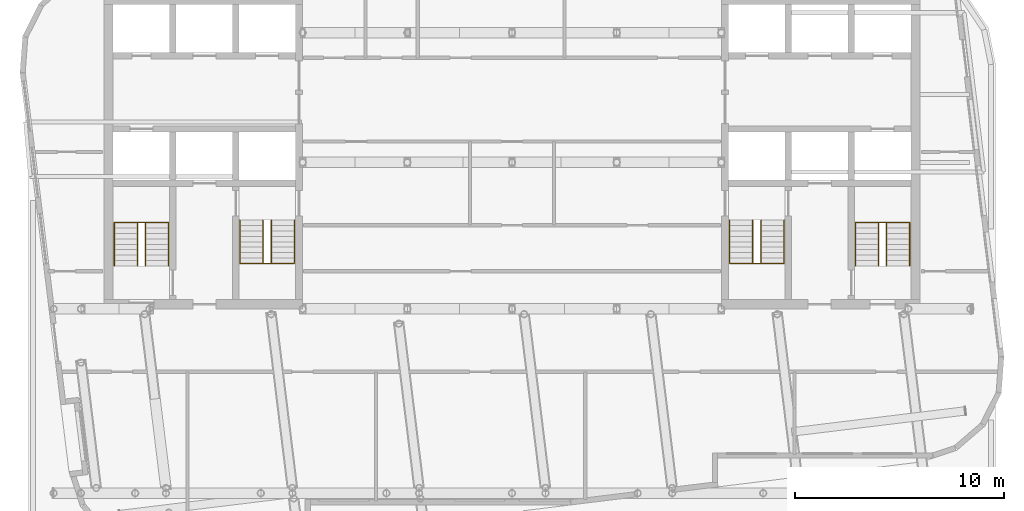
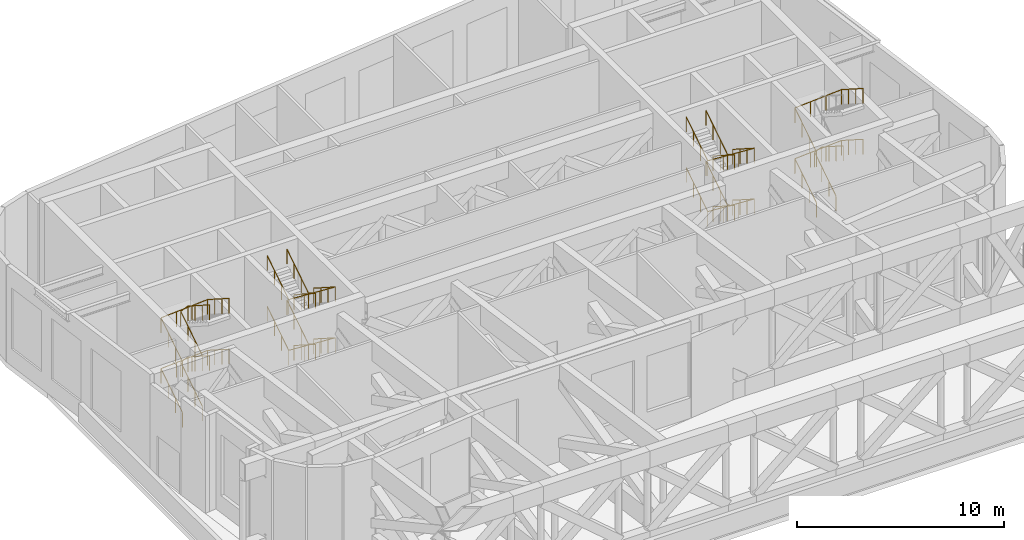
# One storey, part 15 of 16: 15 railings.
"""IFC4 building model written with IfcOpenShell, lengths in metres."""

from ifc_helpers import new_model, si_unit, direction, frame, origin, origin_2d, place, context, subcontext, project, spatial, circle, extrude, material, type_object, element, save


model = new_model("IFC4")

# Units and contexts
model_context = context("Model", 3, precision=1e-05, world=origin(), true_north=direction((0.0, 1.0)))
body_context = subcontext(model_context, "Body", "Model", "MODEL_VIEW")
ifc_project = project(units=[si_unit("LENGTHUNIT", "METRE"), si_unit("AREAUNIT", "SQUARE_METRE"), si_unit("VOLUMEUNIT", "CUBIC_METRE"), si_unit("PLANEANGLEUNIT", "RADIAN"), si_unit("MASSUNIT", "GRAM", prefix="KILO")], contexts=[model_context])

# Site, building, storey
site_placement = place(None, origin())
site = spatial("IfcSite", under=ifc_project, at=site_placement, CompositionType="ELEMENT")
building_placement = place(site_placement, origin())
building = spatial("IfcBuilding", under=site, at=building_placement, Name="Torana Hotel and Residences", CompositionType="ELEMENT")
storey_placement = place(building_placement, frame((0.0, 0.0, 308.60009765625)))
storey = spatial("IfcBuildingStorey", under=building, at=storey_placement, Name="L82", CompositionType="ELEMENT", Elevation=308.60009765625)

# Railings
ifc_material = material(Name="Stainless steel 316", Category="steel")
railing_type = type_object("IfcRailingType", Name="STAIR HANDRAIL HR1 900", PredefinedType="HANDRAIL", material=ifc_material)
railing_1_placement = place(storey_placement, frame((-10.39990234375, -10.75, 0.16650390625)))
element("IfcRailing", 1, at=railing_1_placement, inside=storey, type_object=railing_type, Name="Handrail ST1 L82 O1", PredefinedType="HANDRAIL", context=body_context, shape_type="SweptSolid", body=[
    extrude(circle(Radius=0.02392578125, at=origin_2d()), frame((0.0, 0.0, 0.8759765625), z_axis=(0.0, -0.841858418701, 0.539698436965), x_axis=(1.0, 0.0, 0.0)), (0.0, 0.0, 1.0), 2.470703125),
    extrude(circle(Radius=0.02392578125, at=origin_2d()), frame((0.0, -2.080078125, 2.20947265625), z_axis=(-0.997955880303, 0.0, 0.06390665825), x_axis=(0.0, -1.0, 0.0)), (0.0, 0.0, 1.0), 2.60546875),
    extrude(circle(Radius=0.02392578125, at=origin_2d()), frame((-2.60009765625, -2.080078125, 2.3759765625), z_axis=(0.0, 0.841858418701, 0.539698436965), x_axis=(-1.0, 0.0, 0.0)), (0.0, 0.0, 1.0), 2.470703125),
    extrude(circle(Radius=0.02099609375, at=origin_2d()), origin(), (0.0, 0.0, 1.0), 0.851806640625),
    extrude(circle(Radius=0.02099609375, at=origin_2d()), frame((0.0, -0.693359375, 0.444580078125)), (0.0, 0.0, 1.0), 0.851806640625),
    extrude(circle(Radius=0.02099609375, at=origin_2d()), frame((0.0, -1.38671875, 0.888916015625)), (0.0, 0.0, 1.0), 0.851806640625),
    extrude(circle(Radius=0.02099609375, at=origin_2d()), frame((0.0, -2.080078125, 1.33349609375)), (0.0, 0.0, 1.0), 0.851806640625),
    extrude(circle(Radius=0.02099609375, at=origin_2d()), frame((-0.86669921875, -2.080078125, 1.388916015625)), (0.0, 0.0, 1.0), 0.851806640625),
    extrude(circle(Radius=0.02099609375, at=origin_2d()), frame((-1.7333984375, -2.080078125, 1.444580078125)), (0.0, 0.0, 1.0), 0.851806640625),
    extrude(circle(Radius=0.02099609375, at=origin_2d()), frame((-2.60009765625, -2.080078125, 1.5)), (0.0, 0.0, 1.0), 0.851806640625),
    extrude(circle(Radius=0.02099609375, at=origin_2d()), frame((-2.60009765625, -1.38671875, 1.944580078125)), (0.0, 0.0, 1.0), 0.851806640625),
    extrude(circle(Radius=0.02099609375, at=origin_2d()), frame((-2.60009765625, -0.693359375, 2.388916015625)), (0.0, 0.0, 1.0), 0.851806640625),
    extrude(circle(Radius=0.02099609375, at=origin_2d()), frame((-2.60009765625, 0.0, 2.83349609375)), (0.0, 0.0, 1.0), 0.851806640625),
])
railing_2_placement = place(storey_placement, frame((-11.5, -10.75, 0.16650390625)))
element("IfcRailing", 2, at=railing_2_placement, inside=storey, type_object=railing_type, Name="Handrail ST1 L82 I1", PredefinedType="HANDRAIL", context=body_context, shape_type="SweptSolid", body=[
    extrude(circle(Radius=0.02392578125, at=origin_2d()), frame((0.0, 0.0, 0.8759765625), z_axis=(0.0, -0.841858418701, 0.539698436965), x_axis=(1.0, 0.0, 0.0)), (0.0, 0.0, 1.0), 2.470703125),
    extrude(circle(Radius=0.02392578125, at=origin_2d()), frame((0.0, -2.080078125, 2.20947265625), z_axis=(-0.9231769392, 0.0, 0.384375257957), x_axis=(0.0, -1.0, 0.0)), (0.0, 0.0, 1.0), 0.43310546875),
    extrude(circle(Radius=0.02392578125, at=origin_2d()), frame((-0.39990234375, -2.080078125, 2.3759765625), z_axis=(0.0, 0.841858418701, 0.539698436965), x_axis=(-1.0, 0.0, 0.0)), (0.0, 0.0, 1.0), 2.470703125),
    extrude(circle(Radius=0.02099609375, at=origin_2d()), origin(), (0.0, 0.0, 1.0), 0.851806640625),
    extrude(circle(Radius=0.02099609375, at=origin_2d()), frame((0.0, -0.693359375, 0.444580078125)), (0.0, 0.0, 1.0), 0.851806640625),
    extrude(circle(Radius=0.02099609375, at=origin_2d()), frame((0.0, -1.38671875, 0.888916015625)), (0.0, 0.0, 1.0), 0.851806640625),
    extrude(circle(Radius=0.02099609375, at=origin_2d()), frame((0.0, -2.080078125, 1.33349609375)), (0.0, 0.0, 1.0), 0.851806640625),
    extrude(circle(Radius=0.02099609375, at=origin_2d()), frame((-0.39990234375, -2.080078125, 1.5)), (0.0, 0.0, 1.0), 0.851806640625),
    extrude(circle(Radius=0.02099609375, at=origin_2d()), frame((-0.39990234375, -1.38671875, 1.944580078125)), (0.0, 0.0, 1.0), 0.851806640625),
    extrude(circle(Radius=0.02099609375, at=origin_2d()), frame((-0.39990234375, -0.693359375, 2.388916015625)), (0.0, 0.0, 1.0), 0.851806640625),
    extrude(circle(Radius=0.02099609375, at=origin_2d()), frame((-0.39990234375, 0.0, 2.83349609375)), (0.0, 0.0, 1.0), 0.851806640625),
])
railing_3_placement = place(storey_placement, frame((-10.39990234375, -10.75, 3.16650390625)))
element("IfcRailing", 3, at=railing_3_placement, inside=storey, type_object=railing_type, Name="Handrail ST1 L82 O2", PredefinedType="HANDRAIL", context=body_context, shape_type="SweptSolid", body=[
    extrude(circle(Radius=0.02392578125, at=origin_2d()), frame((0.0, 0.0, 0.8759765625), z_axis=(0.0, -0.841858418701, 0.539698436965), x_axis=(1.0, 0.0, 0.0)), (0.0, 0.0, 1.0), 2.470703125),
    extrude(circle(Radius=0.02392578125, at=origin_2d()), frame((0.0, -2.080078125, 2.20947265625), z_axis=(-0.997955880303, 0.0, 0.06390665825), x_axis=(0.0, -1.0, 0.0)), (0.0, 0.0, 1.0), 2.60546875),
    extrude(circle(Radius=0.02392578125, at=origin_2d()), frame((-2.60009765625, -2.080078125, 2.3759765625), z_axis=(0.0, 0.841858418701, 0.539698436965), x_axis=(-1.0, 0.0, 0.0)), (0.0, 0.0, 1.0), 2.470703125),
    extrude(circle(Radius=0.02099609375, at=origin_2d()), origin(), (0.0, 0.0, 1.0), 0.851806640625),
    extrude(circle(Radius=0.02099609375, at=origin_2d()), frame((0.0, -0.693359375, 0.444580078125)), (0.0, 0.0, 1.0), 0.851806640625),
    extrude(circle(Radius=0.02099609375, at=origin_2d()), frame((0.0, -1.38671875, 0.888916015625)), (0.0, 0.0, 1.0), 0.851806640625),
    extrude(circle(Radius=0.02099609375, at=origin_2d()), frame((0.0, -2.080078125, 1.33349609375)), (0.0, 0.0, 1.0), 0.851806640625),
    extrude(circle(Radius=0.02099609375, at=origin_2d()), frame((-0.86669921875, -2.080078125, 1.388916015625)), (0.0, 0.0, 1.0), 0.851806640625),
    extrude(circle(Radius=0.02099609375, at=origin_2d()), frame((-1.7333984375, -2.080078125, 1.444580078125)), (0.0, 0.0, 1.0), 0.851806640625),
    extrude(circle(Radius=0.02099609375, at=origin_2d()), frame((-2.60009765625, -2.080078125, 1.5)), (0.0, 0.0, 1.0), 0.851806640625),
    extrude(circle(Radius=0.02099609375, at=origin_2d()), frame((-2.60009765625, -1.38671875, 1.944580078125)), (0.0, 0.0, 1.0), 0.851806640625),
    extrude(circle(Radius=0.02099609375, at=origin_2d()), frame((-2.60009765625, -0.693359375, 2.388916015625)), (0.0, 0.0, 1.0), 0.851806640625),
    extrude(circle(Radius=0.02099609375, at=origin_2d()), frame((-2.60009765625, 0.0, 2.83349609375)), (0.0, 0.0, 1.0), 0.851806640625),
])
railing_4_placement = place(storey_placement, frame((-11.5, -10.75, 3.16650390625)))
element("IfcRailing", 4, at=railing_4_placement, inside=storey, type_object=railing_type, Name="Handrail ST1 L82 I2", PredefinedType="HANDRAIL", context=body_context, shape_type="SweptSolid", body=[
    extrude(circle(Radius=0.02392578125, at=origin_2d()), frame((0.0, 0.0, 0.8759765625), z_axis=(0.0, -0.841858418701, 0.539698436965), x_axis=(1.0, 0.0, 0.0)), (0.0, 0.0, 1.0), 2.470703125),
    extrude(circle(Radius=0.02392578125, at=origin_2d()), frame((0.0, -2.080078125, 2.20947265625), z_axis=(-0.9231769392, 0.0, 0.384375257957), x_axis=(0.0, -1.0, 0.0)), (0.0, 0.0, 1.0), 0.43310546875),
    extrude(circle(Radius=0.02392578125, at=origin_2d()), frame((-0.39990234375, -2.080078125, 2.3759765625), z_axis=(0.0, 0.841858418701, 0.539698436965), x_axis=(-1.0, 0.0, 0.0)), (0.0, 0.0, 1.0), 2.470703125),
    extrude(circle(Radius=0.02099609375, at=origin_2d()), origin(), (0.0, 0.0, 1.0), 0.851806640625),
    extrude(circle(Radius=0.02099609375, at=origin_2d()), frame((0.0, -0.693359375, 0.444580078125)), (0.0, 0.0, 1.0), 0.851806640625),
    extrude(circle(Radius=0.02099609375, at=origin_2d()), frame((0.0, -1.38671875, 0.888916015625)), (0.0, 0.0, 1.0), 0.851806640625),
    extrude(circle(Radius=0.02099609375, at=origin_2d()), frame((0.0, -2.080078125, 1.33349609375)), (0.0, 0.0, 1.0), 0.851806640625),
    extrude(circle(Radius=0.02099609375, at=origin_2d()), frame((-0.39990234375, -2.080078125, 1.5)), (0.0, 0.0, 1.0), 0.851806640625),
    extrude(circle(Radius=0.02099609375, at=origin_2d()), frame((-0.39990234375, -1.38671875, 1.944580078125)), (0.0, 0.0, 1.0), 0.851806640625),
    extrude(circle(Radius=0.02099609375, at=origin_2d()), frame((-0.39990234375, -0.693359375, 2.388916015625)), (0.0, 0.0, 1.0), 0.851806640625),
    extrude(circle(Radius=0.02099609375, at=origin_2d()), frame((-0.39990234375, 0.0, 2.83349609375)), (0.0, 0.0, 1.0), 0.851806640625),
])
railing_5_placement = place(storey_placement, frame((-19.0, -12.949951171875, 0.16650390625)))
element("IfcRailing", 5, at=railing_5_placement, inside=storey, type_object=railing_type, Name="Handrail ST2 L82 O1", PredefinedType="HANDRAIL", context=body_context, shape_type="SweptSolid", body=[
    extrude(circle(Radius=0.02392578125, at=origin_2d()), frame((0.0, 0.0, 0.8759765625), z_axis=(0.0, 0.841829634381, 0.539743334075), x_axis=(-1.0, 0.0, 0.0)), (0.0, 0.0, 1.0), 2.470703125),
    extrude(circle(Radius=0.02392578125, at=origin_2d()), frame((0.0, 2.079833984375, 2.20947265625), z_axis=(0.997955880303, 0.0, 0.06390665825), x_axis=(0.0, 1.0, 0.0)), (0.0, 0.0, 1.0), 2.60546875),
    extrude(circle(Radius=0.02392578125, at=origin_2d()), frame((2.60009765625, 2.079833984375, 2.3759765625), z_axis=(0.0, -0.841829634381, 0.539743334075), x_axis=(1.0, 0.0, 0.0)), (0.0, 0.0, 1.0), 2.470703125),
    extrude(circle(Radius=0.02099609375, at=origin_2d()), origin(), (0.0, 0.0, 1.0), 0.851806640625),
    extrude(circle(Radius=0.02099609375, at=origin_2d()), frame((0.0, 0.693359375, 0.444580078125)), (0.0, 0.0, 1.0), 0.851806640625),
    extrude(circle(Radius=0.02099609375, at=origin_2d()), frame((0.0, 1.386474609375, 0.888916015625)), (0.0, 0.0, 1.0), 0.851806640625),
    extrude(circle(Radius=0.02099609375, at=origin_2d()), frame((0.0, 2.079833984375, 1.33349609375)), (0.0, 0.0, 1.0), 0.851806640625),
    extrude(circle(Radius=0.02099609375, at=origin_2d()), frame((0.86669921875, 2.079833984375, 1.388916015625)), (0.0, 0.0, 1.0), 0.851806640625),
    extrude(circle(Radius=0.02099609375, at=origin_2d()), frame((1.7333984375, 2.079833984375, 1.444580078125)), (0.0, 0.0, 1.0), 0.851806640625),
    extrude(circle(Radius=0.02099609375, at=origin_2d()), frame((2.60009765625, 2.079833984375, 1.5)), (0.0, 0.0, 1.0), 0.851806640625),
    extrude(circle(Radius=0.02099609375, at=origin_2d()), frame((2.60009765625, 1.386474609375, 1.944580078125)), (0.0, 0.0, 1.0), 0.851806640625),
    extrude(circle(Radius=0.02099609375, at=origin_2d()), frame((2.60009765625, 0.693359375, 2.388916015625)), (0.0, 0.0, 1.0), 0.851806640625),
    extrude(circle(Radius=0.02099609375, at=origin_2d()), frame((2.60009765625, 0.0, 2.83349609375)), (0.0, 0.0, 1.0), 0.851806640625),
])
railing_6_placement = place(storey_placement, frame((-17.89990234375, -12.949951171875, 0.16650390625)))
element("IfcRailing", 6, at=railing_6_placement, inside=storey, type_object=railing_type, Name="Handrail ST2 L82 I1", PredefinedType="HANDRAIL", context=body_context, shape_type="SweptSolid", body=[
    extrude(circle(Radius=0.02392578125, at=origin_2d()), frame((0.0, 0.0, 0.8759765625), z_axis=(0.0, 0.841829634381, 0.539743334075), x_axis=(-1.0, 0.0, 0.0)), (0.0, 0.0, 1.0), 2.470703125),
    extrude(circle(Radius=0.02392578125, at=origin_2d()), frame((0.0, 2.079833984375, 2.20947265625), z_axis=(0.9231769392, 0.0, 0.384375257957), x_axis=(0.0, 1.0, 0.0)), (0.0, 0.0, 1.0), 0.43310546875),
    extrude(circle(Radius=0.02392578125, at=origin_2d()), frame((0.39990234375, 2.079833984375, 2.3759765625), z_axis=(0.0, -0.841829634381, 0.539743334075), x_axis=(1.0, 0.0, 0.0)), (0.0, 0.0, 1.0), 2.470703125),
    extrude(circle(Radius=0.02099609375, at=origin_2d()), origin(), (0.0, 0.0, 1.0), 0.851806640625),
    extrude(circle(Radius=0.02099609375, at=origin_2d()), frame((0.0, 0.693359375, 0.444580078125)), (0.0, 0.0, 1.0), 0.851806640625),
    extrude(circle(Radius=0.02099609375, at=origin_2d()), frame((0.0, 1.386474609375, 0.888916015625)), (0.0, 0.0, 1.0), 0.851806640625),
    extrude(circle(Radius=0.02099609375, at=origin_2d()), frame((0.0, 2.079833984375, 1.33349609375)), (0.0, 0.0, 1.0), 0.851806640625),
    extrude(circle(Radius=0.02099609375, at=origin_2d()), frame((0.39990234375, 2.079833984375, 1.5)), (0.0, 0.0, 1.0), 0.851806640625),
    extrude(circle(Radius=0.02099609375, at=origin_2d()), frame((0.39990234375, 1.386474609375, 1.944580078125)), (0.0, 0.0, 1.0), 0.851806640625),
    extrude(circle(Radius=0.02099609375, at=origin_2d()), frame((0.39990234375, 0.693359375, 2.388916015625)), (0.0, 0.0, 1.0), 0.851806640625),
    extrude(circle(Radius=0.02099609375, at=origin_2d()), frame((0.39990234375, 0.0, 2.83349609375)), (0.0, 0.0, 1.0), 0.851806640625),
])
railing_7_placement = place(storey_placement, frame((-19.0, -12.949951171875, 3.16650390625)))
element("IfcRailing", 7, at=railing_7_placement, inside=storey, type_object=railing_type, Name="Handrail ST2 L82 O2", PredefinedType="HANDRAIL", context=body_context, shape_type="SweptSolid", body=[
    extrude(circle(Radius=0.02392578125, at=origin_2d()), frame((0.0, 0.0, 0.8759765625), z_axis=(0.0, 0.841829634381, 0.539743334075), x_axis=(-1.0, 0.0, 0.0)), (0.0, 0.0, 1.0), 2.470703125),
    extrude(circle(Radius=0.02392578125, at=origin_2d()), frame((0.0, 2.079833984375, 2.20947265625), z_axis=(0.997955880303, 0.0, 0.06390665825), x_axis=(0.0, 1.0, 0.0)), (0.0, 0.0, 1.0), 2.60546875),
    extrude(circle(Radius=0.02392578125, at=origin_2d()), frame((2.60009765625, 2.079833984375, 2.3759765625), z_axis=(0.0, -0.841829634381, 0.539743334075), x_axis=(1.0, 0.0, 0.0)), (0.0, 0.0, 1.0), 2.470703125),
    extrude(circle(Radius=0.02099609375, at=origin_2d()), origin(), (0.0, 0.0, 1.0), 0.851806640625),
    extrude(circle(Radius=0.02099609375, at=origin_2d()), frame((0.0, 0.693359375, 0.444580078125)), (0.0, 0.0, 1.0), 0.851806640625),
    extrude(circle(Radius=0.02099609375, at=origin_2d()), frame((0.0, 1.386474609375, 0.888916015625)), (0.0, 0.0, 1.0), 0.851806640625),
    extrude(circle(Radius=0.02099609375, at=origin_2d()), frame((0.0, 2.079833984375, 1.33349609375)), (0.0, 0.0, 1.0), 0.851806640625),
    extrude(circle(Radius=0.02099609375, at=origin_2d()), frame((0.86669921875, 2.079833984375, 1.388916015625)), (0.0, 0.0, 1.0), 0.851806640625),
    extrude(circle(Radius=0.02099609375, at=origin_2d()), frame((1.7333984375, 2.079833984375, 1.444580078125)), (0.0, 0.0, 1.0), 0.851806640625),
    extrude(circle(Radius=0.02099609375, at=origin_2d()), frame((2.60009765625, 2.079833984375, 1.5)), (0.0, 0.0, 1.0), 0.851806640625),
    extrude(circle(Radius=0.02099609375, at=origin_2d()), frame((2.60009765625, 1.386474609375, 1.944580078125)), (0.0, 0.0, 1.0), 0.851806640625),
    extrude(circle(Radius=0.02099609375, at=origin_2d()), frame((2.60009765625, 0.693359375, 2.388916015625)), (0.0, 0.0, 1.0), 0.851806640625),
    extrude(circle(Radius=0.02099609375, at=origin_2d()), frame((2.60009765625, 0.0, 2.83349609375)), (0.0, 0.0, 1.0), 0.851806640625),
])
railing_8_placement = place(storey_placement, frame((-17.89990234375, -12.949951171875, 3.16650390625)))
element("IfcRailing", 8, at=railing_8_placement, inside=storey, type_object=railing_type, Name="Handrail ST2 L82 I2", PredefinedType="HANDRAIL", context=body_context, shape_type="SweptSolid", body=[
    extrude(circle(Radius=0.02392578125, at=origin_2d()), frame((0.0, 0.0, 0.8759765625), z_axis=(0.0, 0.841829634381, 0.539743334075), x_axis=(-1.0, 0.0, 0.0)), (0.0, 0.0, 1.0), 2.470703125),
    extrude(circle(Radius=0.02392578125, at=origin_2d()), frame((0.0, 2.079833984375, 2.20947265625), z_axis=(0.9231769392, 0.0, 0.384375257957), x_axis=(0.0, 1.0, 0.0)), (0.0, 0.0, 1.0), 0.43310546875),
    extrude(circle(Radius=0.02392578125, at=origin_2d()), frame((0.39990234375, 2.079833984375, 2.3759765625), z_axis=(0.0, -0.841829634381, 0.539743334075), x_axis=(1.0, 0.0, 0.0)), (0.0, 0.0, 1.0), 2.470703125),
    extrude(circle(Radius=0.02099609375, at=origin_2d()), origin(), (0.0, 0.0, 1.0), 0.851806640625),
    extrude(circle(Radius=0.02099609375, at=origin_2d()), frame((0.0, 0.693359375, 0.444580078125)), (0.0, 0.0, 1.0), 0.851806640625),
    extrude(circle(Radius=0.02099609375, at=origin_2d()), frame((0.0, 1.386474609375, 0.888916015625)), (0.0, 0.0, 1.0), 0.851806640625),
    extrude(circle(Radius=0.02099609375, at=origin_2d()), frame((0.0, 2.079833984375, 1.33349609375)), (0.0, 0.0, 1.0), 0.851806640625),
    extrude(circle(Radius=0.02099609375, at=origin_2d()), frame((0.39990234375, 2.079833984375, 1.5)), (0.0, 0.0, 1.0), 0.851806640625),
    extrude(circle(Radius=0.02099609375, at=origin_2d()), frame((0.39990234375, 1.386474609375, 1.944580078125)), (0.0, 0.0, 1.0), 0.851806640625),
    extrude(circle(Radius=0.02099609375, at=origin_2d()), frame((0.39990234375, 0.693359375, 2.388916015625)), (0.0, 0.0, 1.0), 0.851806640625),
    extrude(circle(Radius=0.02099609375, at=origin_2d()), frame((0.39990234375, 0.0, 2.83349609375)), (0.0, 0.0, 1.0), 0.851806640625),
])
railing_9_placement = place(storey_placement, frame((13.0, -10.75, 0.16650390625)))
element("IfcRailing", 9, at=railing_9_placement, inside=storey, type_object=railing_type, Name="Handrail ST3 L82 O1", PredefinedType="HANDRAIL", context=body_context, shape_type="SweptSolid", body=[
    extrude(circle(Radius=0.02392578125, at=origin_2d()), frame((0.0, 0.0, 0.8759765625), z_axis=(0.0, -0.841858418701, 0.539698436965), x_axis=(1.0, 0.0, 0.0)), (0.0, 0.0, 1.0), 2.470703125),
    extrude(circle(Radius=0.02392578125, at=origin_2d()), frame((0.0, -2.080078125, 2.20947265625), z_axis=(-0.997955880303, 0.0, 0.06390665825), x_axis=(0.0, -1.0, 0.0)), (0.0, 0.0, 1.0), 2.60546875),
    extrude(circle(Radius=0.02392578125, at=origin_2d()), frame((-2.60009765625, -2.080078125, 2.3759765625), z_axis=(0.0, 0.841858418701, 0.539698436965), x_axis=(-1.0, 0.0, 0.0)), (0.0, 0.0, 1.0), 2.470703125),
    extrude(circle(Radius=0.02099609375, at=origin_2d()), origin(), (0.0, 0.0, 1.0), 0.851806640625),
    extrude(circle(Radius=0.02099609375, at=origin_2d()), frame((0.0, -0.693359375, 0.444580078125)), (0.0, 0.0, 1.0), 0.851806640625),
    extrude(circle(Radius=0.02099609375, at=origin_2d()), frame((0.0, -1.38671875, 0.888916015625)), (0.0, 0.0, 1.0), 0.851806640625),
    extrude(circle(Radius=0.02099609375, at=origin_2d()), frame((0.0, -2.080078125, 1.33349609375)), (0.0, 0.0, 1.0), 0.851806640625),
    extrude(circle(Radius=0.02099609375, at=origin_2d()), frame((-0.86669921875, -2.080078125, 1.388916015625)), (0.0, 0.0, 1.0), 0.851806640625),
    extrude(circle(Radius=0.02099609375, at=origin_2d()), frame((-1.7333984375, -2.080078125, 1.444580078125)), (0.0, 0.0, 1.0), 0.851806640625),
    extrude(circle(Radius=0.02099609375, at=origin_2d()), frame((-2.60009765625, -2.080078125, 1.5)), (0.0, 0.0, 1.0), 0.851806640625),
    extrude(circle(Radius=0.02099609375, at=origin_2d()), frame((-2.60009765625, -1.38671875, 1.944580078125)), (0.0, 0.0, 1.0), 0.851806640625),
    extrude(circle(Radius=0.02099609375, at=origin_2d()), frame((-2.60009765625, -0.693359375, 2.388916015625)), (0.0, 0.0, 1.0), 0.851806640625),
    extrude(circle(Radius=0.02099609375, at=origin_2d()), frame((-2.60009765625, 0.0, 2.83349609375)), (0.0, 0.0, 1.0), 0.851806640625),
])
railing_10_placement = place(storey_placement, frame((11.89990234375, -10.75, 0.16650390625)))
element("IfcRailing", 10, at=railing_10_placement, inside=storey, type_object=railing_type, Name="Handrail ST3 L82 I1", PredefinedType="HANDRAIL", context=body_context, shape_type="SweptSolid", body=[
    extrude(circle(Radius=0.02392578125, at=origin_2d()), frame((0.0, 0.0, 0.8759765625), z_axis=(0.0, -0.841858418701, 0.539698436965), x_axis=(1.0, 0.0, 0.0)), (0.0, 0.0, 1.0), 2.470703125),
    extrude(circle(Radius=0.02392578125, at=origin_2d()), frame((0.0, -2.080078125, 2.20947265625), z_axis=(-0.9231769392, 0.0, 0.384375257957), x_axis=(0.0, -1.0, 0.0)), (0.0, 0.0, 1.0), 0.43310546875),
    extrude(circle(Radius=0.02392578125, at=origin_2d()), frame((-0.39990234375, -2.080078125, 2.3759765625), z_axis=(0.0, 0.841858418701, 0.539698436965), x_axis=(-1.0, 0.0, 0.0)), (0.0, 0.0, 1.0), 2.470703125),
    extrude(circle(Radius=0.02099609375, at=origin_2d()), origin(), (0.0, 0.0, 1.0), 0.851806640625),
    extrude(circle(Radius=0.02099609375, at=origin_2d()), frame((0.0, -0.693359375, 0.444580078125)), (0.0, 0.0, 1.0), 0.851806640625),
    extrude(circle(Radius=0.02099609375, at=origin_2d()), frame((0.0, -1.38671875, 0.888916015625)), (0.0, 0.0, 1.0), 0.851806640625),
    extrude(circle(Radius=0.02099609375, at=origin_2d()), frame((0.0, -2.080078125, 1.33349609375)), (0.0, 0.0, 1.0), 0.851806640625),
    extrude(circle(Radius=0.02099609375, at=origin_2d()), frame((-0.39990234375, -2.080078125, 1.5)), (0.0, 0.0, 1.0), 0.851806640625),
    extrude(circle(Radius=0.02099609375, at=origin_2d()), frame((-0.39990234375, -1.38671875, 1.944580078125)), (0.0, 0.0, 1.0), 0.851806640625),
    extrude(circle(Radius=0.02099609375, at=origin_2d()), frame((-0.39990234375, -0.693359375, 2.388916015625)), (0.0, 0.0, 1.0), 0.851806640625),
    extrude(circle(Radius=0.02099609375, at=origin_2d()), frame((-0.39990234375, 0.0, 2.83349609375)), (0.0, 0.0, 1.0), 0.851806640625),
])
railing_11_placement = place(storey_placement, frame((13.0, -10.75, 3.16650390625)))
element("IfcRailing", 11, at=railing_11_placement, inside=storey, type_object=railing_type, Name="Handrail ST3 L82 O2", PredefinedType="HANDRAIL", context=body_context, shape_type="SweptSolid", body=[
    extrude(circle(Radius=0.02392578125, at=origin_2d()), frame((0.0, 0.0, 0.8759765625), z_axis=(0.0, -0.841858418701, 0.539698436965), x_axis=(1.0, 0.0, 0.0)), (0.0, 0.0, 1.0), 2.470703125),
    extrude(circle(Radius=0.02392578125, at=origin_2d()), frame((0.0, -2.080078125, 2.20947265625), z_axis=(-0.997955880303, 0.0, 0.06390665825), x_axis=(0.0, -1.0, 0.0)), (0.0, 0.0, 1.0), 2.60546875),
    extrude(circle(Radius=0.02392578125, at=origin_2d()), frame((-2.60009765625, -2.080078125, 2.3759765625), z_axis=(0.0, 0.841858418701, 0.539698436965), x_axis=(-1.0, 0.0, 0.0)), (0.0, 0.0, 1.0), 2.470703125),
    extrude(circle(Radius=0.02099609375, at=origin_2d()), origin(), (0.0, 0.0, 1.0), 0.851806640625),
    extrude(circle(Radius=0.02099609375, at=origin_2d()), frame((0.0, -0.693359375, 0.444580078125)), (0.0, 0.0, 1.0), 0.851806640625),
    extrude(circle(Radius=0.02099609375, at=origin_2d()), frame((0.0, -1.38671875, 0.888916015625)), (0.0, 0.0, 1.0), 0.851806640625),
    extrude(circle(Radius=0.02099609375, at=origin_2d()), frame((0.0, -2.080078125, 1.33349609375)), (0.0, 0.0, 1.0), 0.851806640625),
    extrude(circle(Radius=0.02099609375, at=origin_2d()), frame((-0.86669921875, -2.080078125, 1.388916015625)), (0.0, 0.0, 1.0), 0.851806640625),
    extrude(circle(Radius=0.02099609375, at=origin_2d()), frame((-1.7333984375, -2.080078125, 1.444580078125)), (0.0, 0.0, 1.0), 0.851806640625),
    extrude(circle(Radius=0.02099609375, at=origin_2d()), frame((-2.60009765625, -2.080078125, 1.5)), (0.0, 0.0, 1.0), 0.851806640625),
    extrude(circle(Radius=0.02099609375, at=origin_2d()), frame((-2.60009765625, -1.38671875, 1.944580078125)), (0.0, 0.0, 1.0), 0.851806640625),
    extrude(circle(Radius=0.02099609375, at=origin_2d()), frame((-2.60009765625, -0.693359375, 2.388916015625)), (0.0, 0.0, 1.0), 0.851806640625),
    extrude(circle(Radius=0.02099609375, at=origin_2d()), frame((-2.60009765625, 0.0, 2.83349609375)), (0.0, 0.0, 1.0), 0.851806640625),
])
railing_12_placement = place(storey_placement, frame((11.89990234375, -10.75, 3.16650390625)))
element("IfcRailing", 12, at=railing_12_placement, inside=storey, type_object=railing_type, Name="Handrail ST3 L82 I2", PredefinedType="HANDRAIL", context=body_context, shape_type="SweptSolid", body=[
    extrude(circle(Radius=0.02392578125, at=origin_2d()), frame((0.0, 0.0, 0.8759765625), z_axis=(0.0, -0.841858418701, 0.539698436965), x_axis=(1.0, 0.0, 0.0)), (0.0, 0.0, 1.0), 2.470703125),
    extrude(circle(Radius=0.02392578125, at=origin_2d()), frame((0.0, -2.080078125, 2.20947265625), z_axis=(-0.9231769392, 0.0, 0.384375257957), x_axis=(0.0, -1.0, 0.0)), (0.0, 0.0, 1.0), 0.43310546875),
    extrude(circle(Radius=0.02392578125, at=origin_2d()), frame((-0.39990234375, -2.080078125, 2.3759765625), z_axis=(0.0, 0.841858418701, 0.539698436965), x_axis=(-1.0, 0.0, 0.0)), (0.0, 0.0, 1.0), 2.470703125),
    extrude(circle(Radius=0.02099609375, at=origin_2d()), origin(), (0.0, 0.0, 1.0), 0.851806640625),
    extrude(circle(Radius=0.02099609375, at=origin_2d()), frame((0.0, -0.693359375, 0.444580078125)), (0.0, 0.0, 1.0), 0.851806640625),
    extrude(circle(Radius=0.02099609375, at=origin_2d()), frame((0.0, -1.38671875, 0.888916015625)), (0.0, 0.0, 1.0), 0.851806640625),
    extrude(circle(Radius=0.02099609375, at=origin_2d()), frame((0.0, -2.080078125, 1.33349609375)), (0.0, 0.0, 1.0), 0.851806640625),
    extrude(circle(Radius=0.02099609375, at=origin_2d()), frame((-0.39990234375, -2.080078125, 1.5)), (0.0, 0.0, 1.0), 0.851806640625),
    extrude(circle(Radius=0.02099609375, at=origin_2d()), frame((-0.39990234375, -1.38671875, 1.944580078125)), (0.0, 0.0, 1.0), 0.851806640625),
    extrude(circle(Radius=0.02099609375, at=origin_2d()), frame((-0.39990234375, -0.693359375, 2.388916015625)), (0.0, 0.0, 1.0), 0.851806640625),
    extrude(circle(Radius=0.02099609375, at=origin_2d()), frame((-0.39990234375, 0.0, 2.83349609375)), (0.0, 0.0, 1.0), 0.851806640625),
])
railing_13_placement = place(storey_placement, frame((16.39990234375, -12.949951171875, 0.16650390625)))
element("IfcRailing", 13, at=railing_13_placement, inside=storey, type_object=railing_type, Name="Handrail ST4 L82 O1", PredefinedType="HANDRAIL", context=body_context, shape_type="SweptSolid", body=[
    extrude(circle(Radius=0.02392578125, at=origin_2d()), frame((0.0, 0.0, 0.8759765625), z_axis=(0.0, 0.841829634381, 0.539743334075), x_axis=(-1.0, 0.0, 0.0)), (0.0, 0.0, 1.0), 2.470703125),
    extrude(circle(Radius=0.02392578125, at=origin_2d()), frame((0.0, 2.079833984375, 2.20947265625), z_axis=(0.997955880303, 0.0, 0.06390665825), x_axis=(0.0, 1.0, 0.0)), (0.0, 0.0, 1.0), 2.60546875),
    extrude(circle(Radius=0.02392578125, at=origin_2d()), frame((2.60009765625, 2.079833984375, 2.3759765625), z_axis=(0.0, -0.841829634381, 0.539743334075), x_axis=(1.0, 0.0, 0.0)), (0.0, 0.0, 1.0), 2.470703125),
    extrude(circle(Radius=0.02099609375, at=origin_2d()), origin(), (0.0, 0.0, 1.0), 0.851806640625),
    extrude(circle(Radius=0.02099609375, at=origin_2d()), frame((0.0, 0.693359375, 0.444580078125)), (0.0, 0.0, 1.0), 0.851806640625),
    extrude(circle(Radius=0.02099609375, at=origin_2d()), frame((0.0, 1.386474609375, 0.888916015625)), (0.0, 0.0, 1.0), 0.851806640625),
    extrude(circle(Radius=0.02099609375, at=origin_2d()), frame((0.0, 2.079833984375, 1.33349609375)), (0.0, 0.0, 1.0), 0.851806640625),
    extrude(circle(Radius=0.02099609375, at=origin_2d()), frame((0.86669921875, 2.079833984375, 1.388916015625)), (0.0, 0.0, 1.0), 0.851806640625),
    extrude(circle(Radius=0.02099609375, at=origin_2d()), frame((1.7333984375, 2.079833984375, 1.444580078125)), (0.0, 0.0, 1.0), 0.851806640625),
    extrude(circle(Radius=0.02099609375, at=origin_2d()), frame((2.60009765625, 2.079833984375, 1.5)), (0.0, 0.0, 1.0), 0.851806640625),
    extrude(circle(Radius=0.02099609375, at=origin_2d()), frame((2.60009765625, 1.386474609375, 1.944580078125)), (0.0, 0.0, 1.0), 0.851806640625),
    extrude(circle(Radius=0.02099609375, at=origin_2d()), frame((2.60009765625, 0.693359375, 2.388916015625)), (0.0, 0.0, 1.0), 0.851806640625),
    extrude(circle(Radius=0.02099609375, at=origin_2d()), frame((2.60009765625, 0.0, 2.83349609375)), (0.0, 0.0, 1.0), 0.851806640625),
])
railing_14_placement = place(storey_placement, frame((17.5, -12.949951171875, 0.16650390625)))
element("IfcRailing", 14, at=railing_14_placement, inside=storey, type_object=railing_type, Name="Handrail ST4 L82 I1", PredefinedType="HANDRAIL", context=body_context, shape_type="SweptSolid", body=[
    extrude(circle(Radius=0.02392578125, at=origin_2d()), frame((0.0, 0.0, 0.8759765625), z_axis=(0.0, 0.841829634381, 0.539743334075), x_axis=(-1.0, 0.0, 0.0)), (0.0, 0.0, 1.0), 2.470703125),
    extrude(circle(Radius=0.02392578125, at=origin_2d()), frame((0.0, 2.079833984375, 2.20947265625), z_axis=(0.9231769392, 0.0, 0.384375257957), x_axis=(0.0, 1.0, 0.0)), (0.0, 0.0, 1.0), 0.43310546875),
    extrude(circle(Radius=0.02392578125, at=origin_2d()), frame((0.39990234375, 2.079833984375, 2.3759765625), z_axis=(0.0, -0.841829634381, 0.539743334075), x_axis=(1.0, 0.0, 0.0)), (0.0, 0.0, 1.0), 2.470703125),
    extrude(circle(Radius=0.02099609375, at=origin_2d()), origin(), (0.0, 0.0, 1.0), 0.851806640625),
    extrude(circle(Radius=0.02099609375, at=origin_2d()), frame((0.0, 0.693359375, 0.444580078125)), (0.0, 0.0, 1.0), 0.851806640625),
    extrude(circle(Radius=0.02099609375, at=origin_2d()), frame((0.0, 1.386474609375, 0.888916015625)), (0.0, 0.0, 1.0), 0.851806640625),
    extrude(circle(Radius=0.02099609375, at=origin_2d()), frame((0.0, 2.079833984375, 1.33349609375)), (0.0, 0.0, 1.0), 0.851806640625),
    extrude(circle(Radius=0.02099609375, at=origin_2d()), frame((0.39990234375, 2.079833984375, 1.5)), (0.0, 0.0, 1.0), 0.851806640625),
    extrude(circle(Radius=0.02099609375, at=origin_2d()), frame((0.39990234375, 1.386474609375, 1.944580078125)), (0.0, 0.0, 1.0), 0.851806640625),
    extrude(circle(Radius=0.02099609375, at=origin_2d()), frame((0.39990234375, 0.693359375, 2.388916015625)), (0.0, 0.0, 1.0), 0.851806640625),
    extrude(circle(Radius=0.02099609375, at=origin_2d()), frame((0.39990234375, 0.0, 2.83349609375)), (0.0, 0.0, 1.0), 0.851806640625),
])
railing_15_placement = place(storey_placement, frame((16.39990234375, -12.949951171875, 3.16650390625)))
element("IfcRailing", 15, at=railing_15_placement, inside=storey, type_object=railing_type, Name="Handrail ST4 L82 O2", PredefinedType="HANDRAIL", context=body_context, shape_type="SweptSolid", body=[
    extrude(circle(Radius=0.02392578125, at=origin_2d()), frame((0.0, 0.0, 0.8759765625), z_axis=(0.0, 0.841829634381, 0.539743334075), x_axis=(-1.0, 0.0, 0.0)), (0.0, 0.0, 1.0), 2.470703125),
    extrude(circle(Radius=0.02392578125, at=origin_2d()), frame((0.0, 2.079833984375, 2.20947265625), z_axis=(0.997955880303, 0.0, 0.06390665825), x_axis=(0.0, 1.0, 0.0)), (0.0, 0.0, 1.0), 2.60546875),
    extrude(circle(Radius=0.02392578125, at=origin_2d()), frame((2.60009765625, 2.079833984375, 2.3759765625), z_axis=(0.0, -0.841829634381, 0.539743334075), x_axis=(1.0, 0.0, 0.0)), (0.0, 0.0, 1.0), 2.470703125),
    extrude(circle(Radius=0.02099609375, at=origin_2d()), origin(), (0.0, 0.0, 1.0), 0.851806640625),
    extrude(circle(Radius=0.02099609375, at=origin_2d()), frame((0.0, 0.693359375, 0.444580078125)), (0.0, 0.0, 1.0), 0.851806640625),
    extrude(circle(Radius=0.02099609375, at=origin_2d()), frame((0.0, 1.386474609375, 0.888916015625)), (0.0, 0.0, 1.0), 0.851806640625),
    extrude(circle(Radius=0.02099609375, at=origin_2d()), frame((0.0, 2.079833984375, 1.33349609375)), (0.0, 0.0, 1.0), 0.851806640625),
    extrude(circle(Radius=0.02099609375, at=origin_2d()), frame((0.86669921875, 2.079833984375, 1.388916015625)), (0.0, 0.0, 1.0), 0.851806640625),
    extrude(circle(Radius=0.02099609375, at=origin_2d()), frame((1.7333984375, 2.079833984375, 1.444580078125)), (0.0, 0.0, 1.0), 0.851806640625),
    extrude(circle(Radius=0.02099609375, at=origin_2d()), frame((2.60009765625, 2.079833984375, 1.5)), (0.0, 0.0, 1.0), 0.851806640625),
    extrude(circle(Radius=0.02099609375, at=origin_2d()), frame((2.60009765625, 1.386474609375, 1.944580078125)), (0.0, 0.0, 1.0), 0.851806640625),
    extrude(circle(Radius=0.02099609375, at=origin_2d()), frame((2.60009765625, 0.693359375, 2.388916015625)), (0.0, 0.0, 1.0), 0.851806640625),
    extrude(circle(Radius=0.02099609375, at=origin_2d()), frame((2.60009765625, 0.0, 2.83349609375)), (0.0, 0.0, 1.0), 0.851806640625),
])

save(model, "model.ifc")
